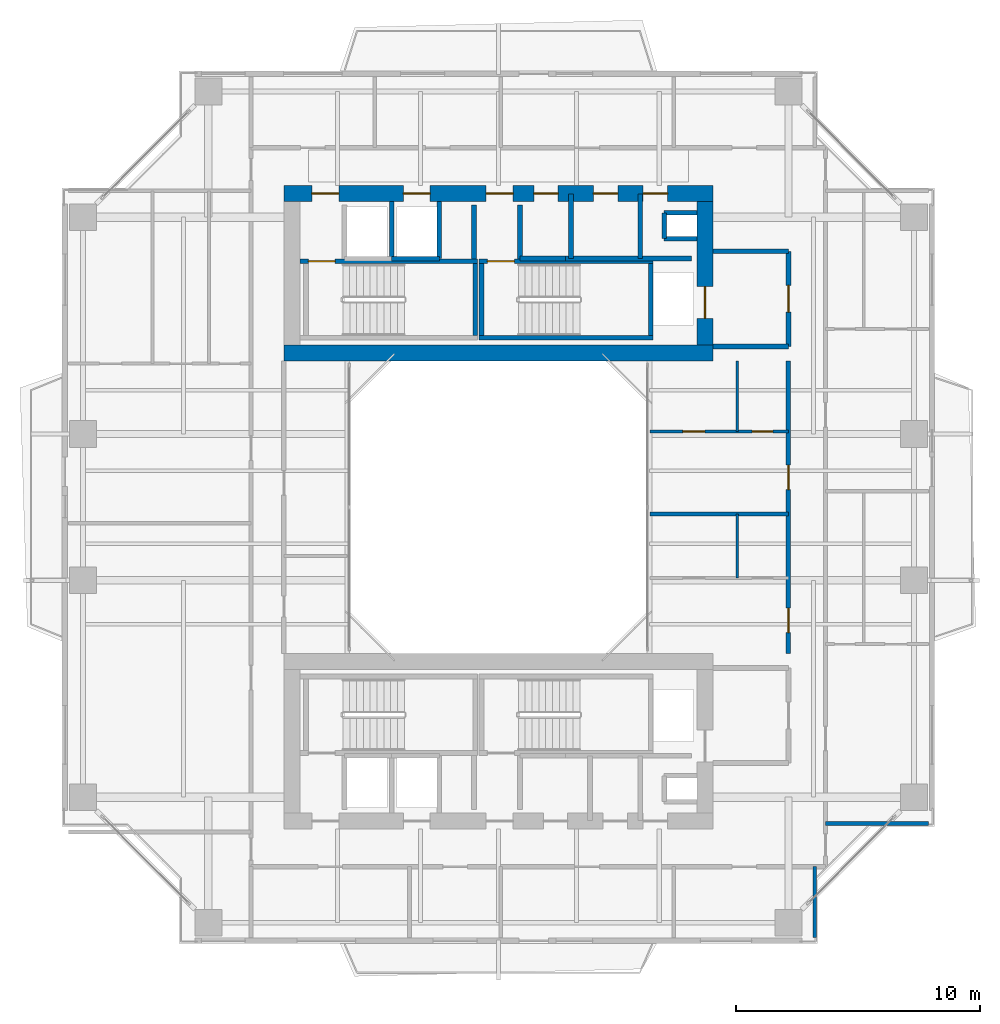
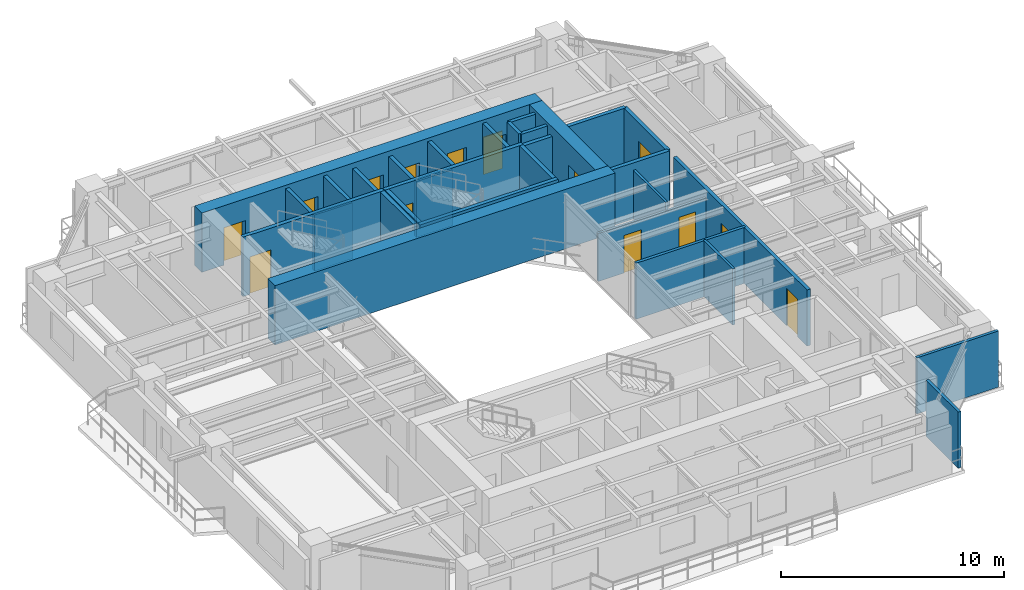
# One storey, part 12 of 17: 31 walls, 14 doors, 14 openings.
"""IFC4 building model written with IfcOpenShell, lengths in metres."""

from ifc_helpers import new_model, si_unit, direction, frame, frame_2d, origin, place, context, subcontext, project, spatial, rectangle, extrude, source, transform, mapped, material, layer, layer_set, type_object, element, fill, save


model = new_model("IFC4")

# Units and contexts
model_context = context("Model", 3, precision=1e-05, world=origin(), true_north=direction((0.0, 1.0)))
body_context = subcontext(model_context, "Body", "Model", "MODEL_VIEW")
ifc_project = project(units=[si_unit("LENGTHUNIT", "METRE"), si_unit("AREAUNIT", "SQUARE_METRE"), si_unit("VOLUMEUNIT", "CUBIC_METRE"), si_unit("PLANEANGLEUNIT", "RADIAN"), si_unit("MASSUNIT", "GRAM", prefix="KILO"), si_unit("THERMODYNAMICTEMPERATUREUNIT", "KELVIN"), si_unit("POWERUNIT", "WATT")], contexts=[model_context])

# Site, building, storey
site_placement = place(None, origin())
site = spatial("IfcSite", under=ifc_project, at=site_placement, CompositionType="ELEMENT")
building_placement = place(site_placement, origin())
building = spatial("IfcBuilding", under=site, at=building_placement, Name="Qiaomeng Ring Towers", CompositionType="ELEMENT")
storey_placement = place(building_placement, frame((0.0, 0.0, 119.75)))
storey = spatial("IfcBuildingStorey", under=building, at=storey_placement, Name="L34", CompositionType="ELEMENT", Elevation=119.75)

# Walls
ifc_material_1 = material(Name="Autoclaved aerated concrete block", Category="concrete")
ifc_layer_1 = layer(ifc_material_1, 0.199951171875, Name="Autoclaved aerated concrete block")
ifc_layer_set_1 = layer_set([ifc_layer_1], Name="Autoclaved aerated concrete block")
wall_type_1 = type_object("IfcWallType", Name="ARC-WL-PW1", PredefinedType="PARTITIONING", material=ifc_layer_set_1)
for number, where, z_axis, x_axis, name in (
    (1, (27.800048828125, 29.60009765625, 0.0), (0.0, 0.0, 1.0), (1.0, 0.0, 0.0), "L34 Interior Wall PW1"),
    (2, (27.800048828125, 33.5, 0.0), (0.0, 0.0, 1.0), (1.0, 0.0, 0.0), "L34 Interior Wall PW1"),
):
    element("IfcWall", number, at=place(storey_placement, frame(where, z_axis=z_axis, x_axis=x_axis)), inside=storey, type_object=wall_type_1, Name=name, PredefinedType="PARTITIONING", context=body_context, shape_type="SweptSolid", body=[
        extrude(rectangle(XDim=3.099853515625, YDim=0.199951171875, at=frame_2d((1.5498046875, 0.0))), origin(), (0.0, 0.0, 1.0), 3.070068359375),
    ])

# Wall, opening, door
wall_1_placement = place(storey_placement, frame((30.89990234375, 29.60009765625, 0.0), z_axis=(0.0, 0.0, 1.0), x_axis=(0.0, 1.0, 0.0)))
wall_1 = element("IfcWall", 3, at=wall_1_placement, inside=storey, type_object=wall_type_1, Name="L34 Interior Wall PW1", PredefinedType="PARTITIONING", context=body_context, shape_type="SweptSolid", body=[
    extrude(rectangle(XDim=3.89990234375, YDim=0.199951171875, at=frame_2d((1.949951171875, 0.0))), origin(), (0.0, 0.0, 1.0), 3.070068359375),
])
opening_1_placement = place(wall_1_placement, frame((1.39990234375, 0.0, 0.0)))
opening_1 = element("IfcOpeningElement", 4, at=opening_1_placement, cuts=wall_1, Name="Opening FD3", PredefinedType="OPENING", context=body_context, shape_type="SweptSolid", body=[
    extrude(rectangle(XDim=1.10009765625, YDim=2.050048828125, at=frame_2d((0.550048828125, 1.02490234375))), frame((0.0, 0.10986328125, 0.0), z_axis=(0.0, -1.0, 0.0), x_axis=(1.0, 0.0, 0.0)), (0.0, 0.0, 1.0), 0.219970703125),
])
ifc_material_2 = material(Name="Galvanised steel", Category="steel")
door_type_1 = type_object("IfcDoorType", Name="ARC-DR-FD3", OperationType="NOTDEFINED", PredefinedType="DOOR", material=ifc_material_2)
shared_shape_1 = source(origin(), body_context, "Body", "SweptSolid", [
    extrude(rectangle(XDim=1.10009765625, YDim=2.050048828125, at=frame_2d((0.550048828125, 1.02490234375))), frame((0.0, 0.02490234375, 0.0), z_axis=(0.0, -1.0, 0.0), x_axis=(1.0, 0.0, 0.0)), (0.0, 0.0, 1.0), 0.050048828125),
])
door_1_placement = place(opening_1_placement, origin())
door_1 = element("IfcDoor", 5, at=door_1_placement, inside=storey, type_object=door_type_1, Name="L34 North FF Lobby Door", OperationType="SINGLE_SWING_LEFT", OverallHeight=2.050048828125, OverallWidth=1.10009765625, PredefinedType="DOOR", context=body_context, shape_type="MappedRepresentation", body=[
    mapped(shared_shape_1, transform((0.0, 0.0, 0.0), x_axis=(1.0, 0.0, 0.0), y_axis=(0.0, 1.0, 0.0), z_axis=(0.0, 0.0, 1.0), scale=1.0)),
])
fill(opening_1, door_1)

# Walls
for number, where, z_axis, x_axis, name in (
    (6, (18.0, 33.18994140625, 0.0), (0.0, 0.0, 1.0), (0.0, 1.0, 0.0), "L34 Interior Wall PW1"),
    (7, (19.8798828125, 33.18994140625, 0.0), (0.0, 0.0, 1.0), (0.0, 1.0, 0.0), "L34 Interior Wall PW1"),
):
    element("IfcWall", number, at=place(storey_placement, frame(where, z_axis=z_axis, x_axis=x_axis)), inside=storey, type_object=wall_type_1, Name=name, PredefinedType="PARTITIONING", context=body_context, shape_type="SweptSolid", body=[
        extrude(rectangle(XDim=2.2099609375, YDim=0.199951171875, at=frame_2d((1.10498046875, 0.0))), origin(), (0.0, 0.0, 1.0), 3.070068359375),
    ])
wall_2_placement = place(storey_placement, frame((24.820068359375, 33.199951171875, 0.0), z_axis=(0.0, 0.0, 1.0), x_axis=(0.0, 1.0, 0.0)))
element("IfcWall", 8, at=wall_2_placement, inside=storey, type_object=wall_type_1, Name="L34 Interior Wall PW1", PredefinedType="PARTITIONING", context=body_context, shape_type="SweptSolid", body=[
    extrude(rectangle(XDim=2.650146484375, YDim=0.199951171875, at=frame_2d((1.3251953125, 0.0))), origin(), (0.0, 0.0, 1.0), 3.070068359375),
])
wall_3_placement = place(storey_placement, frame((19.8798828125, 33.199951171875, 0.0), z_axis=(0.0, 0.0, 1.0), x_axis=(1.0, 0.0, 0.0)))
element("IfcWall", 9, at=wall_3_placement, inside=storey, type_object=wall_type_1, Name="L34 Interior Wall PW1", PredefinedType="PARTITIONING", context=body_context, shape_type="SweptSolid", body=[
    extrude(rectangle(XDim=1.8701171875, YDim=0.199951171875, at=frame_2d((0.93505859375, 0.0))), origin(), (0.0, 0.0, 1.0), 3.070068359375),
])
wall_4_placement = place(storey_placement, frame((21.97998046875, 33.199951171875, 0.0), z_axis=(0.0, 0.0, 1.0), x_axis=(0.0, 1.0, 0.0)))
element("IfcWall", 10, at=wall_4_placement, inside=storey, type_object=wall_type_1, Name="L34 Interior Wall PW1", PredefinedType="PARTITIONING", context=body_context, shape_type="SweptSolid", body=[
    extrude(rectangle(XDim=2.650146484375, YDim=0.199951171875, at=frame_2d((1.3251953125, 0.0))), origin(), (0.0, 0.0, 1.0), 3.070068359375),
])
wall_5_placement = place(storey_placement, frame((21.75, 33.199951171875, 0.0), z_axis=(0.0, 0.0, 1.0), x_axis=(1.0, 0.0, 0.0)))
element("IfcWall", 11, at=wall_5_placement, inside=storey, type_object=wall_type_1, Name="L34 Interior Wall PW1", PredefinedType="PARTITIONING", context=body_context, shape_type="SweptSolid", body=[
    extrude(rectangle(XDim=5.169921875, YDim=0.199951171875, at=frame_2d((2.5849609375, 0.0))), origin(), (0.0, 0.0, 1.0), 3.070068359375),
])

# Wall, openings, doors
ifc_layer_2 = layer(ifc_material_1, 0.179931640625, Name="Autoclaved aerated concrete block")
ifc_layer_set_2 = layer_set([ifc_layer_2], Name="Autoclaved aerated concrete block")
wall_type_2 = type_object("IfcWallType", Name="ARC-WL-PW2", PredefinedType="PARTITIONING", material=ifc_layer_set_2)
wall_6_placement = place(storey_placement, frame((30.89990234375, 17.0, 0.0), z_axis=(0.0, 0.0, 1.0), x_axis=(0.0, 1.0, 0.0)))
wall_6 = element("IfcWall", 12, at=wall_6_placement, inside=storey, type_object=wall_type_2, Name="L34 Interior Wall PW2", PredefinedType="PARTITIONING", context=body_context, shape_type="SweptSolid", body=[
    extrude(rectangle(XDim=12.0, YDim=0.179931640625, at=frame_2d((6.0, 0.0))), origin(), (0.0, 0.0, 1.0), 3.070068359375),
])
opening_2_placement = place(wall_6_placement, frame((0.85498046875, 0.0, 0.0)))
opening_2 = element("IfcOpeningElement", 13, at=opening_2_placement, cuts=wall_6, Name="Opening FD4", PredefinedType="OPENING", context=body_context, shape_type="SweptSolid", body=[
    extrude(rectangle(XDim=1.0, YDim=2.050048828125, at=frame_2d((0.5, 1.02490234375))), frame((0.0, 0.099853515625, 0.0), z_axis=(0.0, -1.0, 0.0), x_axis=(1.0, 0.0, 0.0)), (0.0, 0.0, 1.0), 0.199951171875),
])
opening_3_placement = place(wall_6_placement, frame((6.72509765625, 0.0, 0.0)))
opening_3 = element("IfcOpeningElement", 14, at=opening_3_placement, cuts=wall_6, Name="Opening FD4", PredefinedType="OPENING", context=body_context, shape_type="SweptSolid", body=[
    extrude(rectangle(XDim=1.0, YDim=2.050048828125, at=frame_2d((0.5, 1.02490234375))), frame((0.0, 0.099853515625, 0.0), z_axis=(0.0, -1.0, 0.0), x_axis=(1.0, 0.0, 0.0)), (0.0, 0.0, 1.0), 0.199951171875),
])
ifc_material_3 = material(Name="Engineered fire-rated oak timber", Category="wood")
door_type_2 = type_object("IfcDoorType", Name="ARC-DR-FD4", OperationType="NOTDEFINED", PredefinedType="DOOR", material=ifc_material_3)
shared_shape_2 = source(origin(), body_context, "Body", "SweptSolid", [
    extrude(rectangle(XDim=1.0, YDim=2.050048828125, at=frame_2d((0.5, 1.02490234375))), frame((0.0, 0.02490234375, 0.0), z_axis=(0.0, -1.0, 0.0), x_axis=(1.0, 0.0, 0.0)), (0.0, 0.0, 1.0), 0.050048828125),
])
door_2_placement = place(opening_2_placement, origin())
door_2 = element("IfcDoor", 15, at=door_2_placement, inside=storey, type_object=door_type_2, Name="L34 Door FD4", OperationType="SINGLE_SWING_RIGHT", OverallHeight=2.050048828125, OverallWidth=1.0, PredefinedType="DOOR", context=body_context, shape_type="MappedRepresentation", body=[
    mapped(shared_shape_2, transform((0.0, 0.0, 0.0), x_axis=(1.0, 0.0, 0.0), y_axis=(0.0, 1.0, 0.0), z_axis=(0.0, 0.0, 1.0), scale=1.0)),
])
fill(opening_2, door_2)
door_3_placement = place(opening_3_placement, origin())
door_3 = element("IfcDoor", 16, at=door_3_placement, inside=storey, type_object=door_type_2, Name="L34 Door FD4", OperationType="SINGLE_SWING_LEFT", OverallHeight=2.050048828125, OverallWidth=1.0, PredefinedType="DOOR", context=body_context, shape_type="MappedRepresentation", body=[
    mapped(shared_shape_2, transform((0.0, 0.0, 0.0), x_axis=(1.0, 0.0, 0.0), y_axis=(0.0, 1.0, 0.0), z_axis=(0.0, 0.0, 1.0), scale=1.0)),
])
fill(opening_3, door_3)

# Walls
ifc_material_4 = material(Name="Gypsum fireboard steel-stud partition", Category="steel")
ifc_layer_3 = layer(ifc_material_4, 0.14990234375, Name="Gypsum fireboard steel-stud partition")
ifc_layer_set_3 = layer_set([ifc_layer_3], Name="Gypsum fireboard steel-stud partition")
wall_type_3 = type_object("IfcWallType", Name="ARC-WL-PW3", PredefinedType="PARTITIONING", material=ifc_layer_set_3)
wall_7_placement = place(storey_placement, frame((31.97998046875, 5.35009765625, 0.0), z_axis=(0.0, 0.0, 1.0), x_axis=(0.0, 1.0, 0.0)))
element("IfcWall", 17, at=wall_7_placement, inside=storey, type_object=wall_type_3, Name="L34 Interior Wall PW3", PredefinedType="PARTITIONING", context=body_context, shape_type="SweptSolid", body=[
    extrude(rectangle(XDim=2.89990234375, YDim=0.14990234375, at=frame_2d((1.449951171875, 0.0))), origin(), (0.0, 0.0, 1.0), 3.070068359375),
])
wall_8_placement = place(storey_placement, frame((32.419921875, 10.02001953125, 0.0), z_axis=(0.0, 0.0, 1.0), x_axis=(1.0, 0.0, 0.0)))
element("IfcWall", 18, at=wall_8_placement, inside=storey, type_object=wall_type_3, Name="L34 Interior Wall PW3", PredefinedType="PARTITIONING", context=body_context, shape_type="SweptSolid", body=[
    extrude(rectangle(XDim=4.22998046875, YDim=0.14990234375, at=frame_2d((2.114990234375, 0.0))), origin(), (0.0, 0.0, 1.0), 3.070068359375),
])
wall_9_placement = place(storey_placement, frame((25.219970703125, 22.719970703125, 0.0), z_axis=(0.0, 0.0, 1.0), x_axis=(1.0, 0.0, 0.0)))
element("IfcWall", 19, at=wall_9_placement, inside=storey, type_object=wall_type_3, Name="L34 Interior Wall PW3", PredefinedType="PARTITIONING", context=body_context, shape_type="SweptSolid", body=[
    extrude(rectangle(XDim=5.679931640625, YDim=0.14990234375, at=frame_2d((2.83984375, 0.0))), origin(), (0.0, 0.0, 1.0), 3.070068359375),
])
ifc_material_5 = material(Name="Moisture-resistant gypsum steel-stud partition", Category="steel")
ifc_layer_4 = layer(ifc_material_5, 0.1201171875, Name="Moisture-resistant gypsum steel-stud partition")
ifc_layer_set_4 = layer_set([ifc_layer_4], Name="Moisture-resistant gypsum steel-stud partition")
wall_type_4 = type_object("IfcWallType", Name="ARC-WL-PW4", PredefinedType="PLUMBINGWALL", material=ifc_layer_set_4)
wall_10_placement = place(storey_placement, frame((28.800048828125, 20.090087890625, 0.0), z_axis=(0.0, 0.0, 1.0), x_axis=(0.0, 1.0, 0.0)))
element("IfcWall", 20, at=wall_10_placement, inside=storey, type_object=wall_type_4, Name="L34 Interior Wall PW4", PredefinedType="PLUMBINGWALL", context=body_context, shape_type="SweptSolid", body=[
    extrude(rectangle(XDim=2.6298828125, YDim=0.1201171875, at=frame_2d((1.31494140625, 0.0))), origin(), (0.0, 0.0, 1.0), 3.070068359375),
])

# Wall, openings, doors
wall_11_placement = place(storey_placement, frame((25.219970703125, 26.110107421875, 0.0), z_axis=(0.0, 0.0, 1.0), x_axis=(1.0, 0.0, 0.0)))
wall_11 = element("IfcWall", 21, at=wall_11_placement, inside=storey, type_object=wall_type_4, Name="L34 Interior Wall PW4", PredefinedType="PLUMBINGWALL", context=body_context, shape_type="SweptSolid", body=[
    extrude(rectangle(XDim=5.679931640625, YDim=0.1201171875, at=frame_2d((2.83984375, 0.0))), origin(), (0.0, 0.0, 1.0), 2.625),
])
opening_4_placement = place(wall_11_placement, frame((1.35009765625, 0.0, 0.0)))
opening_4 = element("IfcOpeningElement", 22, at=opening_4_placement, cuts=wall_11, Name="Opening ID1", PredefinedType="OPENING", context=body_context, shape_type="SweptSolid", body=[
    extrude(rectangle(XDim=0.89990234375, YDim=2.050048828125, at=frame_2d((0.449951171875, 1.02490234375))), frame((0.0, 0.070068359375, 0.0), z_axis=(0.0, -1.0, 0.0), x_axis=(1.0, 0.0, 0.0)), (0.0, 0.0, 1.0), 0.14013671875),
])
opening_5_placement = place(wall_11_placement, frame((4.195068359375, 0.0, 0.0)))
opening_5 = element("IfcOpeningElement", 23, at=opening_5_placement, cuts=wall_11, Name="Opening ID2", PredefinedType="OPENING", context=body_context, shape_type="SweptSolid", body=[
    extrude(rectangle(XDim=0.85009765625, YDim=2.050048828125, at=frame_2d((0.425048828125, 1.02490234375))), frame((0.0, 0.070068359375, 0.0), z_axis=(0.0, -1.0, 0.0), x_axis=(1.0, 0.0, 0.0)), (0.0, 0.0, 1.0), 0.14013671875),
])
ifc_material_6 = material(Name="Moisture-resistant engineered timber", Category="wood")
door_type_3 = type_object("IfcDoorType", Name="ARC-DR-ID2", OperationType="NOTDEFINED", PredefinedType="DOOR", material=ifc_material_6)
shared_shape_3 = source(origin(), body_context, "Body", "SweptSolid", [
    extrude(rectangle(XDim=0.85009765625, YDim=2.050048828125, at=frame_2d((0.425048828125, 1.02490234375))), frame((0.0, 0.02490234375, 0.0), z_axis=(0.0, -1.0, 0.0), x_axis=(1.0, 0.0, 0.0)), (0.0, 0.0, 1.0), 0.050048828125),
])
door_4_placement = place(opening_5_placement, origin())
door_4 = element("IfcDoor", 24, at=door_4_placement, inside=storey, type_object=door_type_3, Name="L34 Door ID2", OperationType="SINGLE_SWING_LEFT", OverallHeight=2.050048828125, OverallWidth=0.85009765625, PredefinedType="DOOR", context=body_context, shape_type="MappedRepresentation", body=[
    mapped(shared_shape_3, transform((0.0, 0.0, 0.0), x_axis=(1.0, 0.0, 0.0), y_axis=(0.0, 1.0, 0.0), z_axis=(0.0, 0.0, 1.0), scale=1.0)),
])
fill(opening_5, door_4)
ifc_material_7 = material(Name="Engineered oak timber", Category="wood")
door_type_4 = type_object("IfcDoorType", Name="ARC-DR-ID1", OperationType="NOTDEFINED", PredefinedType="DOOR", material=ifc_material_7)
shared_shape_4 = source(origin(), body_context, "Body", "SweptSolid", [
    extrude(rectangle(XDim=0.89990234375, YDim=2.050048828125, at=frame_2d((0.449951171875, 1.02490234375))), frame((0.0, 0.02490234375, 0.0), z_axis=(0.0, -1.0, 0.0), x_axis=(1.0, 0.0, 0.0)), (0.0, 0.0, 1.0), 0.050048828125),
])
door_5_placement = place(opening_4_placement, origin())
door_5 = element("IfcDoor", 25, at=door_5_placement, inside=storey, type_object=door_type_4, Name="L34 Door ID1", OperationType="SINGLE_SWING_RIGHT", OverallHeight=2.050048828125, OverallWidth=0.89990234375, PredefinedType="DOOR", context=body_context, shape_type="MappedRepresentation", body=[
    mapped(shared_shape_4, transform((0.0, 0.0, 0.0), x_axis=(1.0, 0.0, 0.0), y_axis=(0.0, 1.0, 0.0), z_axis=(0.0, 0.0, 1.0), scale=1.0)),
])
fill(opening_4, door_5)

# Walls
wall_12_placement = place(storey_placement, frame((28.800048828125, 26.110107421875, 0.0), z_axis=(0.0, 0.0, 1.0), x_axis=(0.0, 1.0, 0.0)))
element("IfcWall", 26, at=wall_12_placement, inside=storey, type_object=wall_type_4, Name="L34 Interior Wall PW4", PredefinedType="PLUMBINGWALL", context=body_context, shape_type="SweptSolid", body=[
    extrude(rectangle(XDim=2.889892578125, YDim=0.1201171875, at=frame_2d((1.44482421875, 0.0))), origin(), (0.0, 0.0, 1.0), 3.070068359375),
])
ifc_material_8 = material(Name="Concrete C40", Category="concrete")
ifc_layer_5 = layer(ifc_material_8, 0.199951171875, Name="Concrete C40")
ifc_layer_set_5 = layer_set([ifc_layer_5], Name="Concrete C40")
wall_type_5 = type_object("IfcWallType", Name="STR-WL-STSHAFT", PredefinedType="SHEAR", material=ifc_layer_set_5)
wall_13_placement = place(storey_placement, frame((14.6201171875, 33.199951171875, 0.0), z_axis=(0.0, 0.0, 1.0), x_axis=(0.0, 1.0, 0.0)))
element("IfcWall", 27, at=wall_13_placement, inside=storey, type_object=wall_type_5, Name="L34 Lift LP5-LP3 Shaft Divider Wall", PredefinedType="SHEAR", context=body_context, shape_type="SweptSolid", body=[
    extrude(rectangle(XDim=2.35009765625, YDim=0.179931640625, at=frame_2d((1.175048828125, 0.0))), origin(), (0.0, 0.0, 1.0), 3.070068359375),
])
wall_14_placement = place(storey_placement, frame((25.800048828125, 34.02001953125, 0.0), z_axis=(0.0, 0.0, 1.0), x_axis=(0.0, 1.0, 0.0)))
element("IfcWall", 28, at=wall_14_placement, inside=storey, type_object=wall_type_5, Name="L34 Riser RSR1 West Shaft Wall N", PredefinedType="SHEAR", context=body_context, shape_type="SweptSolid", body=[
    extrude(rectangle(XDim=1.06005859375, YDim=0.179931640625, at=frame_2d((0.530029296875, 0.0))), origin(), (0.0, 0.0, 1.0), 3.070068359375),
])
for number, where, z_axis, x_axis, name in (
    (29, (25.800048828125, 35.080078125, 0.0), (0.0, 0.0, 1.0), (1.0, 0.0, 0.0), "L34 Riser RSR1 North Shaft Wall N"),
    (30, (25.800048828125, 34.02001953125, 0.0), (0.0, 0.0, 1.0), (1.0, 0.0, 0.0), "L34 Riser RSR1 South Shaft Wall N"),
):
    element("IfcWall", number, at=place(storey_placement, frame(where, z_axis=z_axis, x_axis=x_axis)), inside=storey, type_object=wall_type_5, Name=name, PredefinedType="SHEAR", context=body_context, shape_type="SweptSolid", body=[
        extrude(rectangle(XDim=1.349853515625, YDim=0.179931640625, at=frame_2d((0.6748046875, 0.0))), origin(), (0.0, 0.0, 1.0), 3.070068359375),
    ])
wall_15_placement = place(storey_placement, frame((14.6201171875, 33.199951171875, 0.0), z_axis=(0.0, 0.0, 1.0), x_axis=(1.0, 0.0, 0.0)))
element("IfcWall", 31, at=wall_15_placement, inside=storey, type_object=wall_type_5, Name="L34 Lift LP3 Shaft Back Wall", PredefinedType="SHEAR", context=body_context, shape_type="SweptSolid", body=[
    extrude(rectangle(XDim=1.9599609375, YDim=0.179931640625, at=frame_2d((0.97998046875, 0.0))), origin(), (0.0, 0.0, 1.0), 3.070068359375),
])
wall_16_placement = place(storey_placement, frame((16.580078125, 33.199951171875, 0.0), z_axis=(0.0, 0.0, 1.0), x_axis=(0.0, 1.0, 0.0)))
element("IfcWall", 32, at=wall_16_placement, inside=storey, type_object=wall_type_5, Name="L34 Lift LP3 East Shaft Wall", PredefinedType="SHEAR", context=body_context, shape_type="SweptSolid", body=[
    extrude(rectangle(XDim=2.35009765625, YDim=0.179931640625, at=frame_2d((1.175048828125, 0.0))), origin(), (0.0, 0.0, 1.0), 3.070068359375),
])

# Wall, opening, door
wall_17_placement = place(storey_placement, frame((10.85009765625, 33.090087890625, 0.0), z_axis=(0.0, 0.0, 1.0), x_axis=(1.0, 0.0, 0.0)))
wall_17 = element("IfcWall", 33, at=wall_17_placement, inside=storey, type_object=wall_type_5, Name="L34 Stair ST1 North Shaft Shear Wall", PredefinedType="SHEAR", context=body_context, shape_type="SweptSolid", body=[
    extrude(rectangle(XDim=7.2998046875, YDim=0.199951171875, at=frame_2d((3.64990234375, 0.0))), origin(), (0.0, 0.0, 1.0), 3.25),
])
opening_6_placement = place(wall_17_placement, frame((0.35009765625, 0.0, 0.0)))
opening_6 = element("IfcOpeningElement", 34, at=opening_6_placement, cuts=wall_17, Name="Opening FD3", PredefinedType="OPENING", context=body_context, shape_type="SweptSolid", body=[
    extrude(rectangle(XDim=1.10009765625, YDim=2.050048828125, at=frame_2d((0.550048828125, 1.02490234375))), frame((0.0, 0.10986328125, 0.0), z_axis=(0.0, -1.0, 0.0), x_axis=(1.0, 0.0, 0.0)), (0.0, 0.0, 1.0), 0.219970703125),
])
door_6_placement = place(opening_6_placement, origin())
door_6 = element("IfcDoor", 35, at=door_6_placement, inside=storey, type_object=door_type_1, Name="L34 Stair ST1 Exit Door", OperationType="SINGLE_SWING_RIGHT", OverallHeight=2.050048828125, OverallWidth=1.10009765625, PredefinedType="DOOR", context=body_context, shape_type="MappedRepresentation", body=[
    mapped(shared_shape_1, transform((0.0, 0.0, 0.0), x_axis=(1.0, 0.0, 0.0), y_axis=(0.0, 1.0, 0.0), z_axis=(0.0, 0.0, 1.0), scale=1.0)),
])
fill(opening_6, door_6)

# Walls
wall_18_placement = place(storey_placement, frame((18.050048828125, 30.050048828125, 0.0), z_axis=(0.0, 0.0, 1.0), x_axis=(0.0, 1.0, 0.0)))
element("IfcWall", 36, at=wall_18_placement, inside=storey, type_object=wall_type_5, Name="L34 Stair ST1 East Shaft Shear Wall", PredefinedType="SHEAR", context=body_context, shape_type="SweptSolid", body=[
    extrude(rectangle(XDim=2.93994140625, YDim=0.199951171875, at=frame_2d((1.469970703125, 0.0))), origin(), (0.0, 0.0, 1.0), 3.25),
])
wall_19_placement = place(storey_placement, frame((18.199951171875, 29.949951171875, 0.0), z_axis=(0.0, 0.0, 1.0), x_axis=(1.0, 0.0, 0.0)))
element("IfcWall", 37, at=wall_19_placement, inside=storey, type_object=wall_type_5, Name="L34 Stair ST2 South Shaft Shear Wall", PredefinedType="SHEAR", context=body_context, shape_type="SweptSolid", body=[
    extrude(rectangle(XDim=7.150146484375, YDim=0.199951171875, at=frame_2d((3.5751953125, 0.0))), origin(), (0.0, 0.0, 1.0), 3.25),
])

# Wall, opening, door
wall_20_placement = place(storey_placement, frame((18.199951171875, 33.090087890625, 0.0), z_axis=(0.0, 0.0, 1.0), x_axis=(1.0, 0.0, 0.0)))
wall_20 = element("IfcWall", 38, at=wall_20_placement, inside=storey, type_object=wall_type_5, Name="L34 Stair ST2 North Shaft Shear Wall", PredefinedType="SHEAR", context=body_context, shape_type="SweptSolid", body=[
    extrude(rectangle(XDim=7.150146484375, YDim=0.199951171875, at=frame_2d((3.5751953125, 0.0))), origin(), (0.0, 0.0, 1.0), 3.25),
])
opening_7_placement = place(wall_20_placement, frame((0.35009765625, 0.0, 0.0)))
opening_7 = element("IfcOpeningElement", 39, at=opening_7_placement, cuts=wall_20, Name="Opening FD3", PredefinedType="OPENING", context=body_context, shape_type="SweptSolid", body=[
    extrude(rectangle(XDim=1.10009765625, YDim=2.050048828125, at=frame_2d((0.550048828125, 1.02490234375))), frame((0.0, 0.10986328125, 0.0), z_axis=(0.0, -1.0, 0.0), x_axis=(1.0, 0.0, 0.0)), (0.0, 0.0, 1.0), 0.219970703125),
])
door_7_placement = place(opening_7_placement, origin())
door_7 = element("IfcDoor", 40, at=door_7_placement, inside=storey, type_object=door_type_1, Name="L34 Stair ST2 Exit Door", OperationType="SINGLE_SWING_RIGHT", OverallHeight=2.050048828125, OverallWidth=1.10009765625, PredefinedType="DOOR", context=body_context, shape_type="MappedRepresentation", body=[
    mapped(shared_shape_1, transform((0.0, 0.0, 0.0), x_axis=(1.0, 0.0, 0.0), y_axis=(0.0, 1.0, 0.0), z_axis=(0.0, 0.0, 1.0), scale=1.0)),
])
fill(opening_7, door_7)

# Walls
for number, where, z_axis, x_axis, name in (
    (41, (18.300048828125, 30.050048828125, 0.0), (0.0, 0.0, 1.0), (0.0, 1.0, 0.0), "L34 Stair ST2 West Shaft Shear Wall"),
    (42, (25.25, 30.050048828125, 0.0), (0.0, 0.0, 1.0), (0.0, 1.0, 0.0), "L34 Stair ST2 East Shaft Shear Wall"),
):
    element("IfcWall", number, at=place(storey_placement, frame(where, z_axis=z_axis, x_axis=x_axis)), inside=storey, type_object=wall_type_5, Name=name, PredefinedType="SHEAR", context=body_context, shape_type="SweptSolid", body=[
        extrude(rectangle(XDim=2.93994140625, YDim=0.199951171875, at=frame_2d((1.469970703125, 0.0))), origin(), (0.0, 0.0, 1.0), 3.25),
    ])
ifc_material_9 = material(Name="Concrete C55", Category="concrete")
ifc_layer_6 = layer(ifc_material_9, 0.64990234375, Name="Concrete C55")
ifc_layer_set_6 = layer_set([ifc_layer_6], Name="Concrete C55")
wall_type_6 = type_object("IfcWallType", Name="STR-WL-SW2A", PredefinedType="SHEAR", material=ifc_layer_set_6)
wall_21_placement = place(storey_placement, frame((10.199951171875, 29.324951171875, 0.0), z_axis=(0.0, 0.0, 1.0), x_axis=(1.0, 0.0, 0.0)))
element("IfcWall", 43, at=wall_21_placement, inside=storey, type_object=wall_type_6, Name="L34 T1NC south core shear wall", PredefinedType="SHEAR", context=body_context, shape_type="SweptSolid", body=[
    extrude(rectangle(XDim=17.60009765625, YDim=0.64990234375, at=frame_2d((8.800048828125, 0.0))), origin(), (0.0, 0.0, 1.0), 3.25),
])

# Wall, openings, doors
wall_22_placement = place(storey_placement, frame((10.199951171875, 35.875, 0.0), z_axis=(0.0, 0.0, 1.0), x_axis=(1.0, 0.0, 0.0)))
wall_22 = element("IfcWall", 44, at=wall_22_placement, inside=storey, type_object=wall_type_6, Name="L34 T1NC north core shear wall", PredefinedType="SHEAR", context=body_context, shape_type="SweptSolid", body=[
    extrude(rectangle(XDim=17.60009765625, YDim=0.64990234375, at=frame_2d((8.800048828125, 0.0))), origin(), (0.0, 0.0, 1.0), 3.25),
])
opening_8_placement = place(wall_22_placement, frame((1.14990234375, 0.0, 0.0)))
opening_8 = element("IfcOpeningElement", 45, at=opening_8_placement, cuts=wall_22, Name="Opening FD3", PredefinedType="OPENING", context=body_context, shape_type="SweptSolid", body=[
    extrude(rectangle(XDim=1.10009765625, YDim=2.050048828125, at=frame_2d((0.550048828125, 1.02490234375))), frame((0.0, 0.3349609375, 0.0), z_axis=(0.0, -1.0, 0.0), x_axis=(1.0, 0.0, 0.0)), (0.0, 0.0, 1.0), 0.669921875),
])
opening_9_placement = place(wall_22_placement, frame((8.300048828125, 0.0, 0.0)))
opening_9 = element("IfcOpeningElement", 46, at=opening_9_placement, cuts=wall_22, Name="Opening FD3", PredefinedType="OPENING", context=body_context, shape_type="SweptSolid", body=[
    extrude(rectangle(XDim=1.10009765625, YDim=2.050048828125, at=frame_2d((0.550048828125, 1.02490234375))), frame((0.0, 0.3349609375, 0.0), z_axis=(0.0, -1.0, 0.0), x_axis=(1.0, 0.0, 0.0)), (0.0, 0.0, 1.0), 0.669921875),
])
opening_10_placement = place(wall_22_placement, frame((4.89990234375, 0.0, 0.0)))
opening_10 = element("IfcOpeningElement", 47, at=opening_10_placement, cuts=wall_22, Name="Opening LD1", PredefinedType="OPENING", context=body_context, shape_type="SweptSolid", body=[
    extrude(rectangle(XDim=1.10009765625, YDim=2.050048828125, at=frame_2d((0.550048828125, 1.02490234375))), frame((0.0, 0.3349609375, 0.0), z_axis=(0.0, -1.0, 0.0), x_axis=(1.0, 0.0, 0.0)), (0.0, 0.0, 1.0), 0.669921875),
])
opening_11_placement = place(wall_22_placement, frame((14.739990234375, 0.0, 0.0)))
opening_11 = element("IfcOpeningElement", 48, at=opening_11_placement, cuts=wall_22, Name="Opening FD1", PredefinedType="OPENING", context=body_context, shape_type="SweptSolid", body=[
    extrude(rectangle(XDim=1.0, YDim=2.050048828125, at=frame_2d((0.5, 1.02490234375))), frame((0.0, 0.3349609375, 0.0), z_axis=(0.0, -1.0, 0.0), x_axis=(1.0, 0.0, 0.0)), (0.0, 0.0, 1.0), 0.669921875),
])
opening_12_placement = place(wall_22_placement, frame((10.25, 0.0, 0.0)))
opening_12 = element("IfcOpeningElement", 49, at=opening_12_placement, cuts=wall_22, Name="Opening FD1", PredefinedType="OPENING", context=body_context, shape_type="SweptSolid", body=[
    extrude(rectangle(XDim=1.0, YDim=2.050048828125, at=frame_2d((0.5, 1.02490234375))), frame((0.0, 0.3349609375, 0.0), z_axis=(0.0, -1.0, 0.0), x_axis=(1.0, 0.0, 0.0)), (0.0, 0.0, 1.0), 0.669921875),
])
opening_13_placement = place(wall_22_placement, frame((12.699951171875, 0.0, 0.0)))
opening_13 = element("IfcOpeningElement", 50, at=opening_13_placement, cuts=wall_22, Name="Opening FD1", PredefinedType="OPENING", context=body_context, shape_type="SweptSolid", body=[
    extrude(rectangle(XDim=1.0, YDim=2.050048828125, at=frame_2d((0.5, 1.02490234375))), frame((0.0, 0.3349609375, 0.0), z_axis=(0.0, -1.0, 0.0), x_axis=(1.0, 0.0, 0.0)), (0.0, 0.0, 1.0), 0.669921875),
])
door_8_placement = place(opening_8_placement, origin())
door_8 = element("IfcDoor", 51, at=door_8_placement, inside=storey, type_object=door_type_1, Name="L34 Stair ST1 Lobby Door", OperationType="SINGLE_SWING_LEFT", OverallHeight=2.050048828125, OverallWidth=1.10009765625, PredefinedType="DOOR", context=body_context, shape_type="MappedRepresentation", body=[
    mapped(shared_shape_1, transform((0.0, 0.0, 0.0), x_axis=(1.0, 0.0, 0.0), y_axis=(0.0, 1.0, 0.0), z_axis=(0.0, 0.0, 1.0), scale=1.0)),
])
fill(opening_8, door_8)
door_9_placement = place(opening_9_placement, origin())
door_9 = element("IfcDoor", 52, at=door_9_placement, inside=storey, type_object=door_type_1, Name="L34 Stair ST2 Lobby Door", OperationType="SINGLE_SWING_LEFT", OverallHeight=2.050048828125, OverallWidth=1.10009765625, PredefinedType="DOOR", context=body_context, shape_type="MappedRepresentation", body=[
    mapped(shared_shape_1, transform((0.0, 0.0, 0.0), x_axis=(1.0, 0.0, 0.0), y_axis=(0.0, 1.0, 0.0), z_axis=(0.0, 0.0, 1.0), scale=1.0)),
])
fill(opening_9, door_9)
ifc_material_10 = material(Name="Stainless steel 316", Category="steel")
door_type_5 = type_object("IfcDoorType", Name="ARC-DR-LD1", OperationType="NOTDEFINED", PredefinedType="DOOR", material=ifc_material_10)
door_10_placement = place(opening_10_placement, origin())
door_10 = element("IfcDoor", 53, at=door_10_placement, inside=storey, type_object=door_type_5, Name="L34 Mid-Zone Lift LP3 Landing Door", OperationType="SLIDING_TO_LEFT", OverallHeight=2.050048828125, OverallWidth=1.10009765625, PredefinedType="DOOR", context=body_context, shape_type="MappedRepresentation", body=[
    mapped(shared_shape_1, transform((0.0, 0.0, 0.0), x_axis=(1.0, 0.0, 0.0), y_axis=(0.0, 1.0, 0.0), z_axis=(0.0, 0.0, 1.0), scale=1.0)),
])
fill(opening_10, door_10)
door_type_6 = type_object("IfcDoorType", Name="ARC-DR-FD1", OperationType="NOTDEFINED", PredefinedType="DOOR", material=ifc_material_2)
door_11_placement = place(opening_11_placement, origin())
door_11 = element("IfcDoor", 54, at=door_11_placement, inside=storey, type_object=door_type_6, Name="L34 North Electrical Riser Door", OperationType="SINGLE_SWING_LEFT", OverallHeight=2.050048828125, OverallWidth=1.0, PredefinedType="DOOR", context=body_context, shape_type="MappedRepresentation", body=[
    mapped(shared_shape_2, transform((0.0, 0.0, 0.0), x_axis=(1.0, 0.0, 0.0), y_axis=(0.0, 1.0, 0.0), z_axis=(0.0, 0.0, 1.0), scale=1.0)),
])
fill(opening_11, door_11)
door_12_placement = place(opening_12_placement, origin())
door_12 = element("IfcDoor", 55, at=door_12_placement, inside=storey, type_object=door_type_6, Name="L34 North Cleaners Store Door", OperationType="SINGLE_SWING_LEFT", OverallHeight=2.050048828125, OverallWidth=1.0, PredefinedType="DOOR", context=body_context, shape_type="MappedRepresentation", body=[
    mapped(shared_shape_2, transform((0.0, 0.0, 0.0), x_axis=(1.0, 0.0, 0.0), y_axis=(0.0, 1.0, 0.0), z_axis=(0.0, 0.0, 1.0), scale=1.0)),
])
fill(opening_12, door_12)
door_13_placement = place(opening_13_placement, origin())
door_13 = element("IfcDoor", 56, at=door_13_placement, inside=storey, type_object=door_type_6, Name="L34 North Facilities Management Office Door", OperationType="SINGLE_SWING_RIGHT", OverallHeight=2.050048828125, OverallWidth=1.0, PredefinedType="DOOR", context=body_context, shape_type="MappedRepresentation", body=[
    mapped(shared_shape_2, transform((0.0, 0.0, 0.0), x_axis=(1.0, 0.0, 0.0), y_axis=(0.0, 1.0, 0.0), z_axis=(0.0, 0.0, 1.0), scale=1.0)),
])
fill(opening_13, door_13)

# Wall, opening, door
wall_23_placement = place(storey_placement, frame((27.47509765625, 29.64990234375, 0.0), z_axis=(0.0, 0.0, 1.0), x_axis=(0.0, 1.0, 0.0)))
wall_23 = element("IfcWall", 57, at=wall_23_placement, inside=storey, type_object=wall_type_6, Name="L34 T1NC east core shear wall", PredefinedType="SHEAR", context=body_context, shape_type="SweptSolid", body=[
    extrude(rectangle(XDim=5.900146484375, YDim=0.64990234375, at=frame_2d((2.9501953125, 0.0))), origin(), (0.0, 0.0, 1.0), 3.25),
])
opening_14_placement = place(wall_23_placement, frame((1.10009765625, 0.0, 0.0)))
opening_14 = element("IfcOpeningElement", 58, at=opening_14_placement, cuts=wall_23, Name="Opening LD2", PredefinedType="OPENING", context=body_context, shape_type="SweptSolid", body=[
    extrude(rectangle(XDim=1.300048828125, YDim=2.050048828125, at=frame_2d((0.64990234375, 1.02490234375))), frame((0.0, 0.3349609375, 0.0), z_axis=(0.0, -1.0, 0.0), x_axis=(1.0, 0.0, 0.0)), (0.0, 0.0, 1.0), 0.669921875),
])
door_type_7 = type_object("IfcDoorType", Name="ARC-DR-LD2", OperationType="NOTDEFINED", PredefinedType="DOOR", material=ifc_material_10)
shared_shape_5 = source(origin(), body_context, "Body", "SweptSolid", [
    extrude(rectangle(XDim=1.300048828125, YDim=2.050048828125, at=frame_2d((0.64990234375, 1.02490234375))), frame((0.0, 0.02490234375, 0.0), z_axis=(0.0, -1.0, 0.0), x_axis=(1.0, 0.0, 0.0)), (0.0, 0.0, 1.0), 0.050048828125),
])
door_14_placement = place(opening_14_placement, origin())
door_14 = element("IfcDoor", 59, at=door_14_placement, inside=storey, type_object=door_type_7, Name="L34 Firefighting Lift FL1 Landing Door", OperationType="SLIDING_TO_LEFT", OverallHeight=2.050048828125, OverallWidth=1.300048828125, PredefinedType="DOOR", context=body_context, shape_type="MappedRepresentation", body=[
    mapped(shared_shape_5, transform((0.0, 0.0, 0.0), x_axis=(1.0, 0.0, 0.0), y_axis=(0.0, 1.0, 0.0), z_axis=(0.0, 0.0, 1.0), scale=1.0)),
])
fill(opening_14, door_14)

save(model, "model.ifc")
